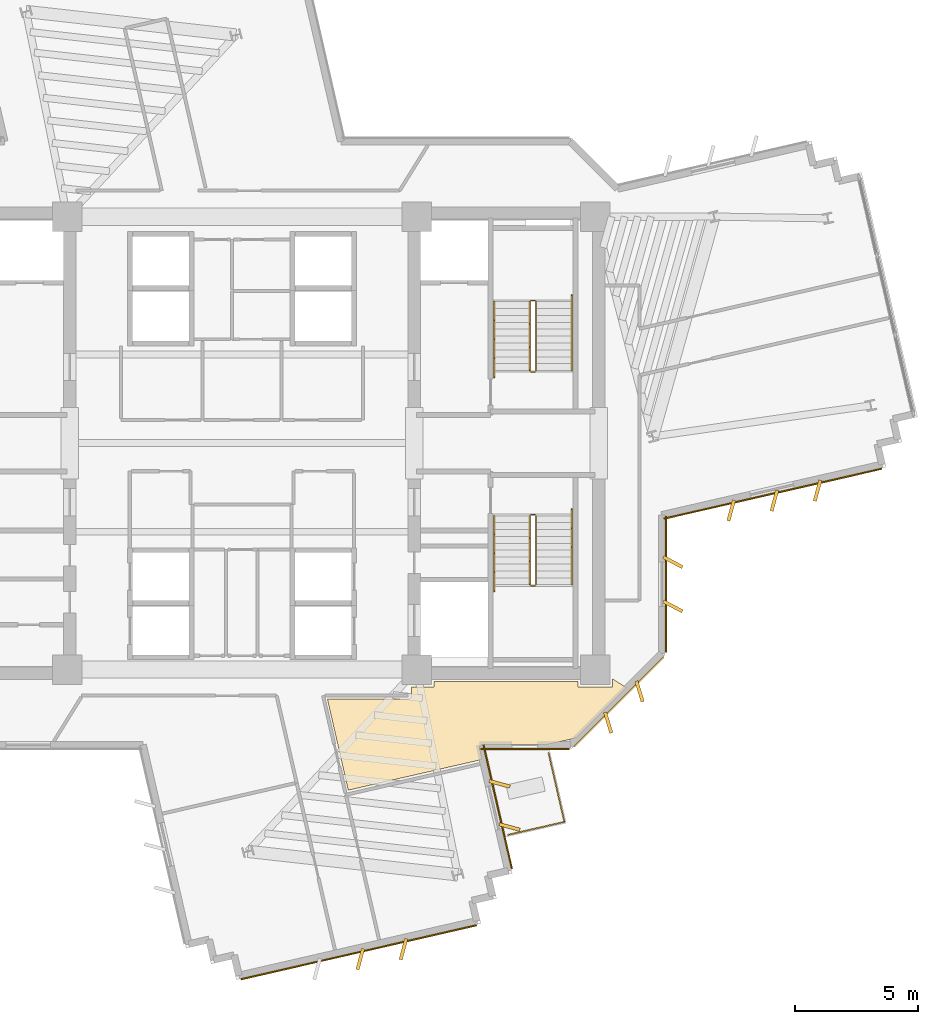
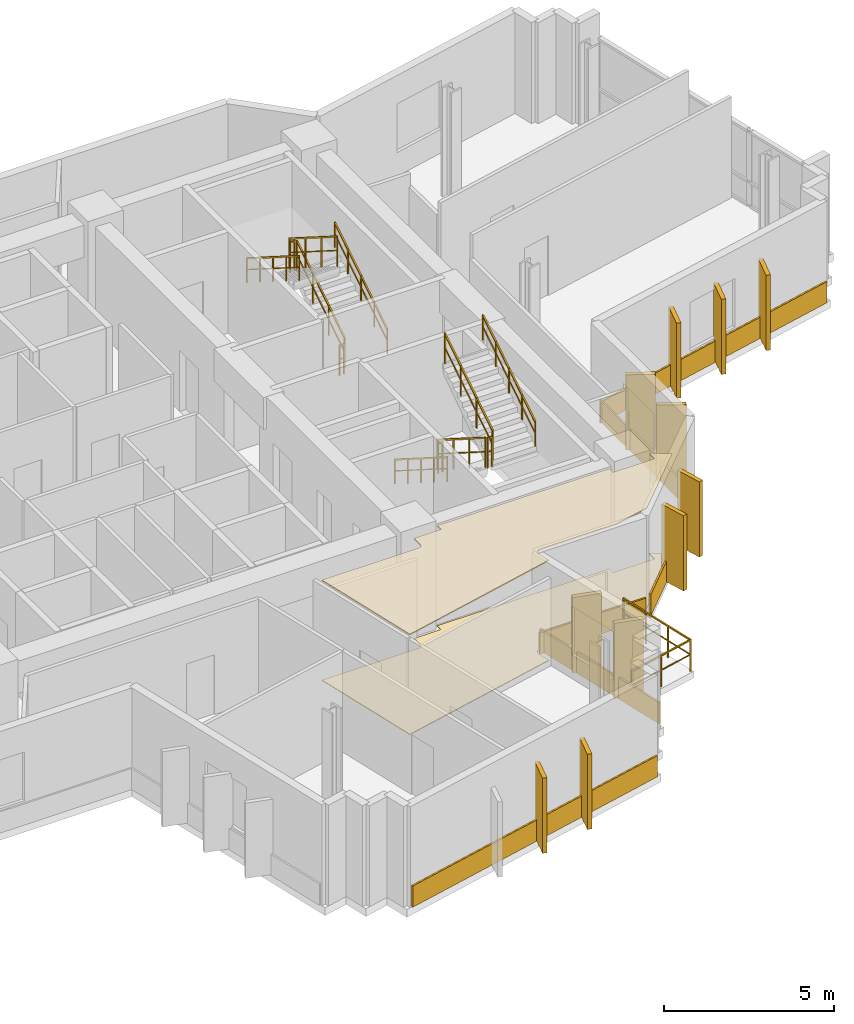
# One storey, part 12 of 13: 19 coverings, 14 railings.
"""IFC4 building model written with IfcOpenShell, lengths in metres."""

import ifcopenshell
import ifcopenshell.guid

model = None  # the IFC model being written
_history = None  # IfcOwnerHistory: only IFC2X3 demands one
_inside = {}  # id of a spatial element -> (the spatial element, [elements in it])
_under = {}  # id of a project, library or spatial element -> (it, [spatial elements below it])
_declared = {}  # id of a project -> (the project, [libraries it declares])
_typed = {}  # id of a type object -> (the type object, [elements of that type])
_made_of = {}  # id of a material, layer set ... -> (it, [elements and type objects made of it])


def new_model(schema):
    """Start an empty IFC model of exactly this schema.

    Asked for "IFC4X3", IfcOpenShell would pick the latest addendum, in which some entities
    have other attributes; the version numbers below select the first issue.
    IFC2X3 requires an IfcOwnerHistory on every rooted entity: one is made here for all.
    """
    global model, _history
    if schema == "IFC4X3":
        model = ifcopenshell.file(schema_version=(4, 3, 0, 0))
    else:
        model = ifcopenshell.file(schema=schema)
    _inside.clear()
    _under.clear()
    _declared.clear()
    _typed.clear()
    _made_of.clear()
    _history = None
    if model.schema == "IFC2X3":
        org = make("IfcOrganization", Name="unknown")
        user = make(
            "IfcPersonAndOrganization",
            ThePerson=make("IfcPerson", FamilyName="unknown"),
            TheOrganization=org,
        )
        app = make(
            "IfcApplication",
            ApplicationDeveloper=org,
            Version="unknown",
            ApplicationFullName="unknown",
            ApplicationIdentifier="unknown",
        )
        _history = make(
            "IfcOwnerHistory",
            OwningUser=user,
            OwningApplication=app,
            ChangeAction="ADDED",
            CreationDate=0,
        )
    return model


def make(cls, **values):
    """One entity of the class cls with the attributes given. An attribute that is None is left unset."""
    return model.create_entity(
        cls, **{name: value for name, value in values.items() if value is not None}
    )


def rooted(cls, **values):
    """An entity with a GlobalId (a new one), such as an element, a storey or a relation."""
    return make(cls, GlobalId=ifcopenshell.guid.new(), OwnerHistory=_history, **values)


def si_unit(unit_type, name, prefix=None):
    """IfcSIUnit, for example si_unit("LENGTHUNIT", "METRE", prefix="MILLI")."""
    return make("IfcSIUnit", UnitType=unit_type, Prefix=prefix, Name=name)


def assignment(units):
    """IfcUnitAssignment: the units of a project."""
    return None if units is None else make("IfcUnitAssignment", Units=units)


def point(xyz):
    """IfcCartesianPoint."""
    return None if xyz is None else make("IfcCartesianPoint", Coordinates=xyz)


def direction(xyz):
    """IfcDirection."""
    return None if xyz is None else make("IfcDirection", DirectionRatios=xyz)


def frame(location, z_axis=None, x_axis=None):
    """IfcAxis2Placement3D, a coordinate frame: its origin and axes. An axis left out is left unset."""
    return make(
        "IfcAxis2Placement3D",
        Location=point(location),
        Axis=direction(z_axis),
        RefDirection=direction(x_axis),
    )


def frame_2d(location, x_axis=None):
    """IfcAxis2Placement2D, a coordinate frame in the plane: its origin and x axis."""
    return make(
        "IfcAxis2Placement2D", Location=point(location), RefDirection=direction(x_axis)
    )


def origin():
    """The frame at (0, 0, 0) with its axes left unset."""
    return frame((0.0, 0.0, 0.0))


def origin_2d():
    """The frame at (0, 0) in the plane with its x axis left unset."""
    return frame_2d((0.0, 0.0))


def place(relative_to, where):
    """IfcLocalPlacement: puts the frame where relative to a parent placement (None: the world)."""
    return make(
        "IfcLocalPlacement", PlacementRelTo=relative_to, RelativePlacement=where
    )


def context(
    kind, dimensions, precision=None, world=None, true_north=None, identifier=None
):
    """IfcGeometricRepresentationContext, for example the 3D "Model" context."""
    return make(
        "IfcGeometricRepresentationContext",
        ContextIdentifier=identifier,
        ContextType=kind,
        CoordinateSpaceDimension=dimensions,
        Precision=precision,
        WorldCoordinateSystem=world,
        TrueNorth=true_north,
    )


def subcontext(parent, identifier, kind, view, scale=None):
    """IfcGeometricRepresentationSubContext, for example "Body" below "Model"."""
    return make(
        "IfcGeometricRepresentationSubContext",
        ContextIdentifier=identifier,
        ContextType=kind,
        ParentContext=parent,
        TargetScale=scale,
        TargetView=view,
    )


def project(units=None, contexts=None):
    """IfcProject with its units and contexts."""
    return rooted(
        "IfcProject",
        Name="project",
        RepresentationContexts=contexts,
        UnitsInContext=assignment(units),
    )


def spatial(cls, under=None, at=None, **own):
    """A site, building, storey or space (cls), placed at a placement, below another one or the project."""
    s = rooted(cls, ObjectPlacement=at, **own)
    if under is not None:
        _under.setdefault(under.id(), (under, []))[1].append(s)
    return s


def polyline(points):
    """IfcPolyline through the points."""
    return make("IfcPolyline", Points=[point(p) for p in points])


def profile(cls, at=None, kind="AREA", **sizes):
    """A parametric profile (cls). Its sizes go by their IFC names, for example OverallWidth=200.0."""
    return make(cls, ProfileType=kind, Position=at, **sizes)


def rectangle(**sizes):
    """IfcRectangleProfileDef."""
    return profile("IfcRectangleProfileDef", **sizes)


def outline(outer, holes=None, kind="AREA"):
    """IfcArbitraryClosedProfileDef: a profile drawn as a closed curve; with holes, ...WithVoids."""
    if holes is None:
        return make("IfcArbitraryClosedProfileDef", ProfileType=kind, OuterCurve=outer)
    return make(
        "IfcArbitraryProfileDefWithVoids",
        ProfileType=kind,
        OuterCurve=outer,
        InnerCurves=holes,
    )


def extrude(swept, where, along, depth):
    """IfcExtrudedAreaSolid: the profile swept, set in the frame where, extruded along a direction by depth."""
    return make(
        "IfcExtrudedAreaSolid",
        SweptArea=swept,
        Position=where,
        ExtrudedDirection=direction(along),
        Depth=depth,
    )


def shape(context_of_items, identifier, shape_type, items):
    """IfcShapeRepresentation: the items that make up one representation, for example the "Body"."""
    return make(
        "IfcShapeRepresentation",
        ContextOfItems=context_of_items,
        RepresentationIdentifier=identifier,
        RepresentationType=shape_type,
        Items=items,
    )


def source(mapping_origin, context_of_items, identifier, shape_type, items):
    """IfcRepresentationMap: a shape defined once, which mapped items show again and again."""
    return make(
        "IfcRepresentationMap",
        MappingOrigin=mapping_origin,
        MappedRepresentation=shape(context_of_items, identifier, shape_type, items),
    )


def transform(
    local_origin,
    x_axis=None,
    y_axis=None,
    z_axis=None,
    scale=None,
    scale2=None,
    scale3=None,
    uniform=True,
):
    """IfcCartesianTransformationOperator3D, or its non-uniform kind. x_axis, y_axis, z_axis: its Axis1, 2, 3."""
    if uniform:
        return make(
            "IfcCartesianTransformationOperator3D",
            Axis1=direction(x_axis),
            Axis2=direction(y_axis),
            LocalOrigin=point(local_origin),
            Scale=scale,
            Axis3=direction(z_axis),
        )
    return make(
        "IfcCartesianTransformationOperator3DnonUniform",
        Axis1=direction(x_axis),
        Axis2=direction(y_axis),
        LocalOrigin=point(local_origin),
        Scale=scale,
        Axis3=direction(z_axis),
        Scale2=scale2,
        Scale3=scale3,
    )


def mapped(mapping_source, mapping_target):
    """IfcMappedItem: shows the shape of a source again, moved by a transform."""
    return make(
        "IfcMappedItem", MappingSource=mapping_source, MappingTarget=mapping_target
    )


def material(Name=None, Category=None):
    """IfcMaterial."""
    return make("IfcMaterial", Name=Name, Category=Category)


def layer(
    of_material, thickness, ventilated=None, Name=None, Category=None, Priority=None
):
    """IfcMaterialLayer: one layer of a wall or slab, of a material (None: an air gap)."""
    return make(
        "IfcMaterialLayer",
        Material=of_material,
        LayerThickness=thickness,
        IsVentilated=ventilated,
        Name=Name,
        Category=Category,
        Priority=Priority,
    )


def layer_set(layers, Name=None):
    """IfcMaterialLayerSet."""
    return make("IfcMaterialLayerSet", MaterialLayers=layers, LayerSetName=Name)


def made_of(thing, what):
    """Note that an element or type object is made of a material, layer set ...; save() writes the relation."""
    if what is not None:
        _made_of.setdefault(what.id(), (what, []))[1].append(thing)
    return thing


def type_object(cls, material=None, **own):
    """A type object (cls), such as IfcWallType, which elements share."""
    return made_of(rooted(cls, **own), material)


def element(
    cls,
    number,
    at=None,
    inside=None,
    cuts=None,
    type_object=None,
    material=None,
    context=None,
    identifier="Body",
    shape_type=None,
    held_by="IfcProductDefinitionShape",
    body=None,
    shapes=None,
    **own,
):
    """One element of the class cls, such as IfcWall. Its Tag is "e" and its number.

    at: its placement. inside: the storey or other place that contains it. cuts: it is an
    opening in that element (IfcRelVoidsElement). A single representation is given by context,
    identifier, shape_type and body (its items); several are given by shapes. held_by: the class
    of the entity that holds the representations. save() writes the other relations.
    """
    e = rooted(cls, Tag="e%d" % number, ObjectPlacement=at, **own)
    if body is not None:
        shapes = [shape(context, identifier, shape_type, body)]
    if shapes is not None:
        e.Representation = make(held_by, Representations=shapes)
    if inside is not None:
        _inside.setdefault(inside.id(), (inside, []))[1].append(e)
    if cuts is not None:
        rooted(
            "IfcRelVoidsElement", RelatingBuildingElement=cuts, RelatedOpeningElement=e
        )
    if type_object is not None:
        _typed.setdefault(type_object.id(), (type_object, []))[1].append(e)
    return made_of(e, material)


def aggregate(whole, parts):
    """IfcRelAggregates: a whole, such as a stair, and the parts it consists of."""
    return rooted("IfcRelAggregates", RelatingObject=whole, RelatedObjects=parts)


def save(model, path):
    """Write the relations noted so far, then the file.

    IfcRelAggregates (storeys below a building ...), IfcRelContainedInSpatialStructure (elements
    in a storey), IfcRelDefinesByType, IfcRelAssociatesMaterial and IfcRelDeclares: one each for
    every whole, place, type object, material and project.
    """
    for whole, parts in _under.values():
        aggregate(whole, parts)
    for where, things in _inside.values():
        rooted(
            "IfcRelContainedInSpatialStructure",
            RelatedElements=things,
            RelatingStructure=where,
        )
    for kind, things in _typed.values():
        rooted("IfcRelDefinesByType", RelatedObjects=things, RelatingType=kind)
    for what, things in _made_of.values():
        rooted("IfcRelAssociatesMaterial", RelatedObjects=things, RelatingMaterial=what)
    for by, libraries in _declared.values():
        rooted("IfcRelDeclares", RelatingContext=by, RelatedDefinitions=libraries)
    model.write(path)


model = new_model("IFC4")

# Units and contexts
model_context = context("Model", 3, precision=1e-05, world=origin(), true_north=direction((0.0, 1.0)))
body_context = subcontext(model_context, "Body", "Model", "MODEL_VIEW")
ifc_project = project(units=[si_unit("LENGTHUNIT", "METRE"), si_unit("AREAUNIT", "SQUARE_METRE"), si_unit("VOLUMEUNIT", "CUBIC_METRE"), si_unit("PLANEANGLEUNIT", "RADIAN"), si_unit("MASSUNIT", "GRAM", prefix="KILO")], contexts=[model_context])

# Site, building, storey
site_placement = place(None, origin())
site = spatial("IfcSite", under=ifc_project, at=site_placement, CompositionType="ELEMENT")
building_placement = place(site_placement, origin())
building = spatial("IfcBuilding", under=site, at=building_placement, Name="Zahravan Cultural Tower", CompositionType="ELEMENT")
storey_placement = place(building_placement, frame((0.0, 0.0, 170.699951171875)))
storey = spatial("IfcBuildingStorey", under=building, at=storey_placement, Name="L39", CompositionType="ELEMENT", Elevation=170.699951171875)

# Coverings
ifc_material_1 = material(Name="Acoustic mineral fibreboard")
ifc_layer_1 = layer(ifc_material_1, 0.0400390625)
ifc_layer_set_1 = layer_set([ifc_layer_1], Name="Acoustic mineral fibreboard")
covering_type_1 = type_object("IfcCoveringType", Name="COV-CEIL-AC20", PredefinedType="CEILING", material=ifc_layer_set_1)
covering_1_placement = place(storey_placement, frame((0.0, 0.0, 3.580078125)))
element("IfcCovering", 1, at=covering_1_placement, inside=storey, type_object=covering_type_1, Name="L39 Acoustic Suspended Ceiling", PredefinedType="CEILING", context=body_context, shape_type="SweptSolid", body=[
    extrude(outline(polyline([(45.760986328125, 14.147216796875), (45.6611328125, 14.583984375), (45.66552734375, 14.643798828125), (45.69384765625, 14.69873046875), (45.73193359375, 14.734375), (45.7890625, 14.75830078125), (48.432861328125, 14.760009765625), (49.601806640625, 15.028076171875), (51.634033203125, 17.060302734375), (51.050048828125, 17.43017578125), (51.050048828125, 17.10009765625), (49.64990234375, 17.10009765625), (49.64990234375, 17.320068359375), (43.800048828125, 17.320068359375), (43.800048828125, 17.10009765625), (42.889892578125, 17.10009765625), (42.8896484375, 16.716064453125), (42.853515625, 16.639404296875), (42.78173828125, 16.601318359375), (39.47314453125, 16.60009765625), (40.322265625, 12.8994140625), (45.760986328125, 14.147216796875)])), origin(), (0.0, 0.0, 1.0), 0.0400390625),
])
ifc_material_2 = material(Name="Terrazzo flooring")
ifc_layer_2 = layer(ifc_material_2, 0.02490234375)
ifc_layer_set_2 = layer_set([ifc_layer_2], Name="Terrazzo flooring")
covering_type_2 = type_object("IfcCoveringType", Name="COV-FLR-TZ25", PredefinedType="FLOORING", material=ifc_layer_set_2)
covering_2_placement = place(storey_placement, origin())
element("IfcCovering", 2, at=covering_2_placement, inside=storey, type_object=covering_type_2, Name="L39 Polished Terrazzo Flooring", PredefinedType="FLOORING", context=body_context, shape_type="SweptSolid", body=[
    extrude(outline(polyline([(45.760986328125, 14.147216796875), (45.6611328125, 14.583984375), (45.66552734375, 14.643798828125), (45.69384765625, 14.69873046875), (45.73193359375, 14.734375), (45.7890625, 14.75830078125), (48.432861328125, 14.760009765625), (49.601806640625, 15.028076171875), (51.634033203125, 17.060302734375), (51.050048828125, 17.43017578125), (51.050048828125, 17.10009765625), (49.64990234375, 17.10009765625), (49.64990234375, 17.320068359375), (43.800048828125, 17.320068359375), (43.800048828125, 17.10009765625), (42.889892578125, 17.10009765625), (42.8896484375, 16.716064453125), (42.853515625, 16.639404296875), (42.78173828125, 16.601318359375), (39.47314453125, 16.60009765625), (40.322265625, 12.8994140625), (45.760986328125, 14.147216796875)])), origin(), (0.0, 0.0, 1.0), 0.025146484375),
])

# Railings
ifc_material_3 = material(Name="Steel ASTM A572 Grade 50", Category="steel")
railing_type_1 = type_object("IfcRailingType", Name="RL-BAL-1150", PredefinedType="BALUSTRADE", material=ifc_material_3)
railing_1_placement = place(storey_placement, frame((49.102783203125, 11.610107421875, 0.0)))
element("IfcRailing", 3, at=railing_1_placement, inside=storey, type_object=railing_type_1, Name="L39 Edge Balustrade GRD-TR-L39-SE-01", PredefinedType="BALUSTRADE", context=body_context, shape_type="SweptSolid", body=[
    extrude(rectangle(XDim=0.05, YDim=0.05, at=origin_2d()), frame((0.0, 0.0, 1.125), z_axis=(-0.974688001885, -0.223569450017, 0.0), x_axis=(0.223569450017, -0.974688001885, 0.0)), (0.0, 0.0, 1.0), 2.35009765625),
    extrude(rectangle(XDim=0.032, YDim=0.032, at=origin_2d()), frame((0.0, 0.0, 0.597900390625), z_axis=(-0.974688001885, -0.223569450017, 0.0), x_axis=(0.223569450017, -0.974688001885, 0.0)), (0.0, 0.0, 1.0), 2.35009765625),
    extrude(rectangle(XDim=0.04, YDim=0.04, at=origin_2d()), origin(), (0.0, 0.0, 1.0), 1.14990234375),
    extrude(rectangle(XDim=0.04, YDim=0.04, at=origin_2d()), frame((-1.145263671875, -0.2626953125, 0.0)), (0.0, 0.0, 1.0), 1.14990234375),
    extrude(rectangle(XDim=0.04, YDim=0.04, at=origin_2d()), frame((-2.29052734375, -0.525390625, 0.0)), (0.0, 0.0, 1.0), 1.14990234375),
])
railing_2_placement = place(storey_placement, frame((48.4580078125, 14.419921875, 0.0)))
element("IfcRailing", 4, at=railing_2_placement, inside=storey, type_object=railing_type_1, Name="L39 Edge Balustrade GRD-TR-L39-SE-02", PredefinedType="BALUSTRADE", context=body_context, shape_type="SweptSolid", body=[
    extrude(rectangle(XDim=0.05, YDim=0.05, at=origin_2d()), frame((0.0, 0.0, 1.125), z_axis=(0.223659439364, -0.97466735617, 0.0), x_axis=(0.97466735617, 0.223659439364, 0.0)), (0.0, 0.0, 1.0), 2.8828125),
    extrude(rectangle(XDim=0.032, YDim=0.032, at=origin_2d()), frame((0.0, 0.0, 0.597900390625), z_axis=(0.223659439364, -0.97466735617, 0.0), x_axis=(0.97466735617, 0.223659439364, 0.0)), (0.0, 0.0, 1.0), 2.8828125),
    extrude(rectangle(XDim=0.04, YDim=0.04, at=origin_2d()), origin(), (0.0, 0.0, 1.0), 1.14990234375),
    extrude(rectangle(XDim=0.04, YDim=0.04, at=origin_2d()), frame((0.21484375, -0.9365234375, 0.0)), (0.0, 0.0, 1.0), 1.14990234375),
    extrude(rectangle(XDim=0.04, YDim=0.04, at=origin_2d()), frame((0.429931640625, -1.873291015625, 0.0)), (0.0, 0.0, 1.0), 1.14990234375),
    extrude(rectangle(XDim=0.04, YDim=0.04, at=origin_2d()), frame((0.644775390625, -2.809814453125, 0.0)), (0.0, 0.0, 1.0), 1.14990234375),
])
railing_type_2 = type_object("IfcRailingType", Name="RL-STAIR-GRD1150", PredefinedType="BALUSTRADE", material=ifc_material_3)
railing_3_placement = place(storey_placement, frame((47.949951171875, 29.949951171875, 0.17724609375)))
element("IfcRailing", 5, at=railing_3_placement, inside=storey, type_object=railing_type_2, Name="L39 ST-E1 stair guard 1", PredefinedType="BALUSTRADE", context=body_context, shape_type="SweptSolid", body=[
    extrude(rectangle(XDim=0.05, YDim=0.05, at=origin_2d()), frame((0.0, 0.0, 1.0751953125), z_axis=(0.0, 0.844908973607, 0.534910110503), x_axis=(-1.0, 0.0, 0.0)), (0.0, 0.0, 1.0), 3.31396484375),
    extrude(rectangle(XDim=0.032, YDim=0.032, at=origin_2d()), frame((0.0, 0.0, 0.572021484375), z_axis=(0.0, 0.844908973607, 0.534910110503), x_axis=(-1.0, 0.0, 0.0)), (0.0, 0.0, 1.0), 3.31396484375),
    extrude(rectangle(XDim=0.04, YDim=0.04, at=origin_2d()), origin(), (0.0, 0.0, 1.0), 1.10009765625),
    extrude(rectangle(XDim=0.04, YDim=0.04, at=origin_2d()), frame((0.0, 0.933349609375, 0.5908203125)), (0.0, 0.0, 1.0), 1.10009765625),
    extrude(rectangle(XDim=0.04, YDim=0.04, at=origin_2d()), frame((0.0, 1.86669921875, 1.181884765625)), (0.0, 0.0, 1.0), 1.10009765625),
    extrude(rectangle(XDim=0.04, YDim=0.04, at=origin_2d()), frame((0.0, 2.800048828125, 1.772705078125)), (0.0, 0.0, 1.0), 1.10009765625),
])
railing_4_placement = place(storey_placement, frame((47.89990234375, 32.800048828125, 1.949951171875)))
element("IfcRailing", 6, at=railing_4_placement, inside=storey, type_object=railing_type_2, Name="L39 ST-E1 stair guard 2", PredefinedType="BALUSTRADE", context=body_context, shape_type="SweptSolid", body=[
    extrude(rectangle(XDim=0.05, YDim=0.05, at=origin_2d()), frame((0.0, 0.0, 1.0751953125), z_axis=(-1.0, 0.0, 0.0), x_axis=(0.0, -1.0, 0.0)), (0.0, 0.0, 1.0), 0.14990234375),
    extrude(rectangle(XDim=0.032, YDim=0.032, at=origin_2d()), frame((0.0, 0.0, 0.572021484375), z_axis=(-1.0, 0.0, 0.0), x_axis=(0.0, -1.0, 0.0)), (0.0, 0.0, 1.0), 0.14990234375),
    extrude(rectangle(XDim=0.04, YDim=0.04, at=origin_2d()), origin(), (0.0, 0.0, 1.0), 1.10009765625),
    extrude(rectangle(XDim=0.04, YDim=0.04, at=origin_2d()), frame((-0.14990234375, 0.0, 0.0)), (0.0, 0.0, 1.0), 1.10009765625),
])
railing_5_placement = place(storey_placement, frame((47.699951171875, 32.75, 2.12744140625)))
element("IfcRailing", 7, at=railing_5_placement, inside=storey, type_object=railing_type_2, Name="L39 ST-E1 stair guard 3", PredefinedType="BALUSTRADE", context=body_context, shape_type="SweptSolid", body=[
    extrude(rectangle(XDim=0.05, YDim=0.05, at=origin_2d()), frame((0.0, 0.0, 1.0751953125), z_axis=(0.0, -0.844908973607, 0.534910110503), x_axis=(1.0, 0.0, 0.0)), (0.0, 0.0, 1.0), 3.31396484375),
    extrude(rectangle(XDim=0.032, YDim=0.032, at=origin_2d()), frame((0.0, 0.0, 0.572021484375), z_axis=(0.0, -0.844908973607, 0.534910110503), x_axis=(1.0, 0.0, 0.0)), (0.0, 0.0, 1.0), 3.31396484375),
    extrude(rectangle(XDim=0.04, YDim=0.04, at=origin_2d()), origin(), (0.0, 0.0, 1.0), 1.10009765625),
    extrude(rectangle(XDim=0.04, YDim=0.04, at=origin_2d()), frame((0.0, -0.933349609375, 0.5908203125)), (0.0, 0.0, 1.0), 1.10009765625),
    extrude(rectangle(XDim=0.04, YDim=0.04, at=origin_2d()), frame((0.0, -1.86669921875, 1.181884765625)), (0.0, 0.0, 1.0), 1.10009765625),
    extrude(rectangle(XDim=0.04, YDim=0.04, at=origin_2d()), frame((0.0, -2.800048828125, 1.772705078125)), (0.0, 0.0, 1.0), 1.10009765625),
])
railing_6_placement = place(storey_placement, frame((47.89990234375, 29.89990234375, 0.0)))
element("IfcRailing", 8, at=railing_6_placement, inside=storey, type_object=railing_type_2, Name="L39 ST-E1 stair guard 4", PredefinedType="BALUSTRADE", context=body_context, shape_type="SweptSolid", body=[
    extrude(rectangle(XDim=0.05, YDim=0.05, at=origin_2d()), frame((0.0, 0.0, 1.0751953125), z_axis=(-1.0, 0.0, 0.0), x_axis=(0.0, -1.0, 0.0)), (0.0, 0.0, 1.0), 0.14990234375),
    extrude(rectangle(XDim=0.032, YDim=0.032, at=origin_2d()), frame((0.0, 0.0, 0.572021484375), z_axis=(-1.0, 0.0, 0.0), x_axis=(0.0, -1.0, 0.0)), (0.0, 0.0, 1.0), 0.14990234375),
    extrude(rectangle(XDim=0.04, YDim=0.04, at=origin_2d()), origin(), (0.0, 0.0, 1.0), 1.10009765625),
    extrude(rectangle(XDim=0.04, YDim=0.04, at=origin_2d()), frame((-0.14990234375, 0.0, 0.0)), (0.0, 0.0, 1.0), 1.10009765625),
])
railing_7_placement = place(storey_placement, frame((47.699951171875, 24.050048828125, 0.17724609375)))
element("IfcRailing", 9, at=railing_7_placement, inside=storey, type_object=railing_type_2, Name="L39 ST-E2 stair guard 1", PredefinedType="BALUSTRADE", context=body_context, shape_type="SweptSolid", body=[
    extrude(rectangle(XDim=0.05, YDim=0.05, at=origin_2d()), frame((0.0, 0.0, 1.0751953125), z_axis=(0.0, -0.844908973607, 0.534910110503), x_axis=(1.0, 0.0, 0.0)), (0.0, 0.0, 1.0), 3.31396484375),
    extrude(rectangle(XDim=0.032, YDim=0.032, at=origin_2d()), frame((0.0, 0.0, 0.572021484375), z_axis=(0.0, -0.844908973607, 0.534910110503), x_axis=(1.0, 0.0, 0.0)), (0.0, 0.0, 1.0), 3.31396484375),
    extrude(rectangle(XDim=0.04, YDim=0.04, at=origin_2d()), origin(), (0.0, 0.0, 1.0), 1.10009765625),
    extrude(rectangle(XDim=0.04, YDim=0.04, at=origin_2d()), frame((0.0, -0.933349609375, 0.5908203125)), (0.0, 0.0, 1.0), 1.10009765625),
    extrude(rectangle(XDim=0.04, YDim=0.04, at=origin_2d()), frame((0.0, -1.86669921875, 1.181884765625)), (0.0, 0.0, 1.0), 1.10009765625),
    extrude(rectangle(XDim=0.04, YDim=0.04, at=origin_2d()), frame((0.0, -2.800048828125, 1.772705078125)), (0.0, 0.0, 1.0), 1.10009765625),
])
railing_8_placement = place(storey_placement, frame((47.75, 21.199951171875, 1.949951171875)))
element("IfcRailing", 10, at=railing_8_placement, inside=storey, type_object=railing_type_2, Name="L39 ST-E2 stair guard 2", PredefinedType="BALUSTRADE", context=body_context, shape_type="SweptSolid", body=[
    extrude(rectangle(XDim=0.05, YDim=0.05, at=origin_2d()), frame((0.0, 0.0, 1.0751953125), z_axis=(1.0, 0.0, 0.0), x_axis=(0.0, 1.0, 0.0)), (0.0, 0.0, 1.0), 0.14990234375),
    extrude(rectangle(XDim=0.032, YDim=0.032, at=origin_2d()), frame((0.0, 0.0, 0.572021484375), z_axis=(1.0, 0.0, 0.0), x_axis=(0.0, 1.0, 0.0)), (0.0, 0.0, 1.0), 0.14990234375),
    extrude(rectangle(XDim=0.04, YDim=0.04, at=origin_2d()), origin(), (0.0, 0.0, 1.0), 1.10009765625),
    extrude(rectangle(XDim=0.04, YDim=0.04, at=origin_2d()), frame((0.14990234375, 0.0, 0.0)), (0.0, 0.0, 1.0), 1.10009765625),
])
railing_9_placement = place(storey_placement, frame((47.949951171875, 21.25, 2.12744140625)))
element("IfcRailing", 11, at=railing_9_placement, inside=storey, type_object=railing_type_2, Name="L39 ST-E2 stair guard 3", PredefinedType="BALUSTRADE", context=body_context, shape_type="SweptSolid", body=[
    extrude(rectangle(XDim=0.05, YDim=0.05, at=origin_2d()), frame((0.0, 0.0, 1.0751953125), z_axis=(0.0, 0.844908973607, 0.534910110503), x_axis=(-1.0, 0.0, 0.0)), (0.0, 0.0, 1.0), 3.31396484375),
    extrude(rectangle(XDim=0.032, YDim=0.032, at=origin_2d()), frame((0.0, 0.0, 0.572021484375), z_axis=(0.0, 0.844908973607, 0.534910110503), x_axis=(-1.0, 0.0, 0.0)), (0.0, 0.0, 1.0), 3.31396484375),
    extrude(rectangle(XDim=0.04, YDim=0.04, at=origin_2d()), origin(), (0.0, 0.0, 1.0), 1.10009765625),
    extrude(rectangle(XDim=0.04, YDim=0.04, at=origin_2d()), frame((0.0, 0.933349609375, 0.5908203125)), (0.0, 0.0, 1.0), 1.10009765625),
    extrude(rectangle(XDim=0.04, YDim=0.04, at=origin_2d()), frame((0.0, 1.86669921875, 1.181884765625)), (0.0, 0.0, 1.0), 1.10009765625),
    extrude(rectangle(XDim=0.04, YDim=0.04, at=origin_2d()), frame((0.0, 2.800048828125, 1.772705078125)), (0.0, 0.0, 1.0), 1.10009765625),
])
railing_10_placement = place(storey_placement, frame((47.75, 24.10009765625, 0.0)))
element("IfcRailing", 12, at=railing_10_placement, inside=storey, type_object=railing_type_2, Name="L39 ST-E2 stair guard 4", PredefinedType="BALUSTRADE", context=body_context, shape_type="SweptSolid", body=[
    extrude(rectangle(XDim=0.05, YDim=0.05, at=origin_2d()), frame((0.0, 0.0, 1.0751953125), z_axis=(1.0, 0.0, 0.0), x_axis=(0.0, 1.0, 0.0)), (0.0, 0.0, 1.0), 0.14990234375),
    extrude(rectangle(XDim=0.032, YDim=0.032, at=origin_2d()), frame((0.0, 0.0, 0.572021484375), z_axis=(1.0, 0.0, 0.0), x_axis=(0.0, 1.0, 0.0)), (0.0, 0.0, 1.0), 0.14990234375),
    extrude(rectangle(XDim=0.04, YDim=0.04, at=origin_2d()), origin(), (0.0, 0.0, 1.0), 1.10009765625),
    extrude(rectangle(XDim=0.04, YDim=0.04, at=origin_2d()), frame((0.14990234375, 0.0, 0.0)), (0.0, 0.0, 1.0), 1.10009765625),
])
railing_type_3 = type_object("IfcRailingType", Name="RL-STAIR-HR900", PredefinedType="HANDRAIL", material=ifc_material_3)
railing_11_placement = place(storey_placement, frame((49.39990234375, 29.949951171875, 0.17724609375)))
element("IfcRailing", 13, at=railing_11_placement, inside=storey, type_object=railing_type_3, Name="L39 ST-E1 stair handrail 1", PredefinedType="HANDRAIL", context=body_context, shape_type="SweptSolid", body=[
    extrude(rectangle(XDim=0.05, YDim=0.05, at=origin_2d()), frame((0.0, 0.0, 0.875), z_axis=(0.0, 0.844883648757, 0.534950109882), x_axis=(-1.0, 0.0, 0.0)), (0.0, 0.0, 1.0), 3.6455078125),
    extrude(rectangle(XDim=0.032, YDim=0.032, at=origin_2d()), frame((0.0, 0.0, 0.468017578125), z_axis=(0.0, 0.844883648757, 0.534950109882), x_axis=(-1.0, 0.0, 0.0)), (0.0, 0.0, 1.0), 3.6455078125),
    extrude(rectangle(XDim=0.04, YDim=0.04, at=origin_2d()), origin(), (0.0, 0.0, 1.0), 0.89990234375),
    extrude(rectangle(XDim=0.04, YDim=0.04, at=origin_2d()), frame((0.0, 0.77001953125, 0.487548828125)), (0.0, 0.0, 1.0), 0.89990234375),
    extrude(rectangle(XDim=0.04, YDim=0.04, at=origin_2d()), frame((0.0, 1.5400390625, 0.97509765625)), (0.0, 0.0, 1.0), 0.89990234375),
    extrude(rectangle(XDim=0.04, YDim=0.04, at=origin_2d()), frame((0.0, 2.31005859375, 1.462646484375)), (0.0, 0.0, 1.0), 0.89990234375),
    extrude(rectangle(XDim=0.04, YDim=0.04, at=origin_2d()), frame((0.0, 3.080078125, 1.9501953125)), (0.0, 0.0, 1.0), 0.89990234375),
])
railing_12_placement = place(storey_placement, frame((46.25, 32.75, 2.12744140625)))
element("IfcRailing", 14, at=railing_12_placement, inside=storey, type_object=railing_type_3, Name="L39 ST-E1 stair handrail 2", PredefinedType="HANDRAIL", context=body_context, shape_type="SweptSolid", body=[
    extrude(rectangle(XDim=0.05, YDim=0.05, at=origin_2d()), frame((0.0, 0.0, 0.875), z_axis=(0.0, -0.844913916606, 0.534902302785), x_axis=(1.0, 0.0, 0.0)), (0.0, 0.0, 1.0), 3.6455078125),
    extrude(rectangle(XDim=0.032, YDim=0.032, at=origin_2d()), frame((0.0, 0.0, 0.468017578125), z_axis=(0.0, -0.844913916606, 0.534902302785), x_axis=(1.0, 0.0, 0.0)), (0.0, 0.0, 1.0), 3.6455078125),
    extrude(rectangle(XDim=0.04, YDim=0.04, at=origin_2d()), origin(), (0.0, 0.0, 1.0), 0.89990234375),
    extrude(rectangle(XDim=0.04, YDim=0.04, at=origin_2d()), frame((0.0, -0.77001953125, 0.487548828125)), (0.0, 0.0, 1.0), 0.89990234375),
    extrude(rectangle(XDim=0.04, YDim=0.04, at=origin_2d()), frame((0.0, -1.5400390625, 0.97509765625)), (0.0, 0.0, 1.0), 0.89990234375),
    extrude(rectangle(XDim=0.04, YDim=0.04, at=origin_2d()), frame((0.0, -2.31005859375, 1.46240234375)), (0.0, 0.0, 1.0), 0.89990234375),
    extrude(rectangle(XDim=0.04, YDim=0.04, at=origin_2d()), frame((0.0, -3.080078125, 1.949951171875)), (0.0, 0.0, 1.0), 0.89990234375),
])
railing_13_placement = place(storey_placement, frame((46.25, 24.050048828125, 0.17724609375)))
element("IfcRailing", 15, at=railing_13_placement, inside=storey, type_object=railing_type_3, Name="L39 ST-E2 stair handrail 1", PredefinedType="HANDRAIL", context=body_context, shape_type="SweptSolid", body=[
    extrude(rectangle(XDim=0.05, YDim=0.05, at=origin_2d()), frame((0.0, 0.0, 0.875), z_axis=(0.0, -0.844883648757, 0.534950109882), x_axis=(1.0, 0.0, 0.0)), (0.0, 0.0, 1.0), 3.6455078125),
    extrude(rectangle(XDim=0.032, YDim=0.032, at=origin_2d()), frame((0.0, 0.0, 0.468017578125), z_axis=(0.0, -0.844883648757, 0.534950109882), x_axis=(1.0, 0.0, 0.0)), (0.0, 0.0, 1.0), 3.6455078125),
    extrude(rectangle(XDim=0.04, YDim=0.04, at=origin_2d()), origin(), (0.0, 0.0, 1.0), 0.89990234375),
    extrude(rectangle(XDim=0.04, YDim=0.04, at=origin_2d()), frame((0.0, -0.77001953125, 0.487548828125)), (0.0, 0.0, 1.0), 0.89990234375),
    extrude(rectangle(XDim=0.04, YDim=0.04, at=origin_2d()), frame((0.0, -1.5400390625, 0.97509765625)), (0.0, 0.0, 1.0), 0.89990234375),
    extrude(rectangle(XDim=0.04, YDim=0.04, at=origin_2d()), frame((0.0, -2.31005859375, 1.462646484375)), (0.0, 0.0, 1.0), 0.89990234375),
    extrude(rectangle(XDim=0.04, YDim=0.04, at=origin_2d()), frame((0.0, -3.080078125, 1.9501953125)), (0.0, 0.0, 1.0), 0.89990234375),
])
railing_14_placement = place(storey_placement, frame((49.39990234375, 21.25, 2.12744140625)))
element("IfcRailing", 16, at=railing_14_placement, inside=storey, type_object=railing_type_3, Name="L39 ST-E2 stair handrail 2", PredefinedType="HANDRAIL", context=body_context, shape_type="SweptSolid", body=[
    extrude(rectangle(XDim=0.05, YDim=0.05, at=origin_2d()), frame((0.0, 0.0, 0.875), z_axis=(0.0, 0.844913916606, 0.534902302785), x_axis=(-1.0, 0.0, 0.0)), (0.0, 0.0, 1.0), 3.6455078125),
    extrude(rectangle(XDim=0.032, YDim=0.032, at=origin_2d()), frame((0.0, 0.0, 0.468017578125), z_axis=(0.0, 0.844913916606, 0.534902302785), x_axis=(-1.0, 0.0, 0.0)), (0.0, 0.0, 1.0), 3.6455078125),
    extrude(rectangle(XDim=0.04, YDim=0.04, at=origin_2d()), origin(), (0.0, 0.0, 1.0), 0.89990234375),
    extrude(rectangle(XDim=0.04, YDim=0.04, at=origin_2d()), frame((0.0, 0.77001953125, 0.487548828125)), (0.0, 0.0, 1.0), 0.89990234375),
    extrude(rectangle(XDim=0.04, YDim=0.04, at=origin_2d()), frame((0.0, 1.5400390625, 0.97509765625)), (0.0, 0.0, 1.0), 0.89990234375),
    extrude(rectangle(XDim=0.04, YDim=0.04, at=origin_2d()), frame((0.0, 2.31005859375, 1.46240234375)), (0.0, 0.0, 1.0), 0.89990234375),
    extrude(rectangle(XDim=0.04, YDim=0.04, at=origin_2d()), frame((0.0, 3.080078125, 1.949951171875)), (0.0, 0.0, 1.0), 0.89990234375),
])

# Coverings
ifc_material_4 = material(Name="Terracotta ceramic cladding", Category="masonry")
ifc_layer_3 = layer(ifc_material_4, 0.06005859375)
ifc_layer_set_3 = layer_set([ifc_layer_3], Name="Terracotta ceramic cladding")
covering_type_3 = type_object("IfcCoveringType", Name="COV-CLAD-TC60", PredefinedType="CLADDING", material=ifc_layer_set_3)
shared_shape_1 = source(origin(), body_context, "Body", "SweptSolid", [
    extrude(rectangle(XDim=5.157958984375, YDim=0.06005859375, at=origin_2d()), origin(), (0.0, 0.0, 1.0), 0.760009765625),
])
covering_3_placement = place(storey_placement, frame((51.317626953125, 16.482421875, 0.02001953125), z_axis=(0.0, 0.0, 1.0), x_axis=(-0.707106781187, -0.707106781187, 0.0)))
element("IfcCovering", 17, at=covering_3_placement, inside=storey, type_object=covering_type_3, Name="L39 Terracotta Spandrel Cladding 12", PredefinedType="CLADDING", context=body_context, shape_type="MappedRepresentation", body=[
    mapped(shared_shape_1, transform((0.0, 0.0, 0.0), x_axis=(1.0, 0.0, 0.0), y_axis=(0.0, 1.0, 0.0), z_axis=(0.0, 0.0, 1.0), scale=1.0)),
])
shared_shape_2 = source(origin(), body_context, "Body", "SweptSolid", [
    extrude(rectangle(XDim=0.8798828125, YDim=0.139892578125, at=origin_2d()), origin(), (0.0, 0.0, 1.0), 2.699951171875),
])
for number, where, z_axis, x_axis, name in (
    (18, (59.39111328125, 25.0712890625, 0.05029296875), (0.0, 0.0, 1.0), (-0.260150626952, -0.965568045917, 0.0), "L39 Herringbone Terracotta Fin 04"),
    (19, (57.63671875, 24.668701171875, 0.05029296875), (0.0, 0.0, 1.0), (-0.260150626952, -0.965568045917, 0.0), "L39 Herringbone Terracotta Fin 05"),
    (20, (55.882080078125, 24.266357421875, 0.05029296875), (0.0, 0.0, 1.0), (-0.260150626952, -0.965568045917, 0.0), "L39 Herringbone Terracotta Fin 06"),
    (21, (53.510009765625, 22.169189453125, 0.05029296875), (0.0, 0.0, 1.0), (0.882947592859, -0.469471562786, 0.0), "L39 Herringbone Terracotta Fin 07"),
    (22, (53.510009765625, 20.369384765625, 0.05029296875), (0.0, 0.0, 1.0), (0.882947592859, -0.469471562786, 0.0), "L39 Herringbone Terracotta Fin 08"),
    (23, (52.155517578125, 16.917236328125, 0.05029296875), (0.0, 0.0, 1.0), (0.292371704723, -0.956304755963, 0.0), "L39 Herringbone Terracotta Fin 09"),
    (24, (50.8828125, 15.644287109375, 0.05029296875), (0.0, 0.0, 1.0), (0.292371704723, -0.956304755963, 0.0), "L39 Herringbone Terracotta Fin 10"),
    (25, (46.47021484375, 13.157470703125, 0.05029296875), (0.0, 0.0, 1.0), (0.965563505285, -0.260167479254, 0.0), "L39 Herringbone Terracotta Fin 11"),
    (26, (46.87255859375, 11.403076171875, 0.05029296875), (0.0, 0.0, 1.0), (0.965563505285, -0.260167479254, 0.0), "L39 Herringbone Terracotta Fin 12"),
    (27, (42.563720703125, 6.43701171875, 0.05029296875), (0.0, 0.0, 1.0), (-0.260167479254, -0.965563505285, 0.0), "L39 Herringbone Terracotta Fin 13"),
    (28, (40.809326171875, 6.03466796875, 0.05029296875), (0.0, 0.0, 1.0), (-0.260167479254, -0.965563505285, 0.0), "L39 Herringbone Terracotta Fin 14"),
):
    element("IfcCovering", number, at=place(storey_placement, frame(where, z_axis=z_axis, x_axis=x_axis)), inside=storey, type_object=covering_type_3, Name=name, PredefinedType="CLADDING", context=body_context, shape_type="MappedRepresentation", body=[
        mapped(shared_shape_2, transform((0.0, 0.0, 0.0), x_axis=(1.0, 0.0, 0.0), y_axis=(0.0, 1.0, 0.0), z_axis=(0.0, 0.0, 1.0), scale=1.0)),
    ])
shared_shape_3 = source(origin(), body_context, "Body", "SweptSolid", [
    extrude(rectangle(XDim=9.084716796875, YDim=0.06005859375, at=origin_2d()), origin(), (0.0, 0.0, 1.0), 0.760009765625),
])
covering_4_placement = place(storey_placement, frame((57.572998046875, 24.946533203125, 0.02001953125), z_axis=(0.0, 0.0, 1.0), x_axis=(-0.974679303279, -0.223607369645, 0.0)))
element("IfcCovering", 29, at=covering_4_placement, inside=storey, type_object=covering_type_3, Name="L39 Terracotta Spandrel Cladding 10", PredefinedType="CLADDING", context=body_context, shape_type="MappedRepresentation", body=[
    mapped(shared_shape_3, transform((0.0, 0.0, 0.0), x_axis=(1.0, 0.0, 0.0), y_axis=(0.0, 1.0, 0.0), z_axis=(0.0, 0.0, 1.0), scale=1.0)),
])
shared_shape_4 = source(origin(), body_context, "Body", "SweptSolid", [
    extrude(rectangle(XDim=5.5224609375, YDim=0.06005859375, at=origin_2d()), origin(), (0.0, 0.0, 1.0), 0.760009765625),
])
covering_5_placement = place(storey_placement, frame((53.22509765625, 21.269287109375, 0.02001953125), z_axis=(0.0, 0.0, 1.0), x_axis=(0.0, -1.0, 0.0)))
element("IfcCovering", 30, at=covering_5_placement, inside=storey, type_object=covering_type_3, Name="L39 Terracotta Spandrel Cladding 11", PredefinedType="CLADDING", context=body_context, shape_type="MappedRepresentation", body=[
    mapped(shared_shape_4, transform((0.0, 0.0, 0.0), x_axis=(1.0, 0.0, 0.0), y_axis=(0.0, 1.0, 0.0), z_axis=(0.0, 0.0, 1.0), scale=1.0)),
])
shared_shape_5 = source(origin(), body_context, "Body", "SweptSolid", [
    extrude(rectangle(XDim=3.5966796875, YDim=0.06005859375, at=origin_2d()), origin(), (0.0, 0.0, 1.0), 0.760009765625),
])
covering_6_placement = place(storey_placement, frame((47.49365234375, 14.574951171875, 0.02001953125), z_axis=(0.0, 0.0, 1.0), x_axis=(-1.0, 0.0, 0.0)))
element("IfcCovering", 31, at=covering_6_placement, inside=storey, type_object=covering_type_3, Name="L39 Terracotta Spandrel Cladding 13", PredefinedType="CLADDING", context=body_context, shape_type="MappedRepresentation", body=[
    mapped(shared_shape_5, transform((0.0, 0.0, 0.0), x_axis=(1.0, 0.0, 0.0), y_axis=(0.0, 1.0, 0.0), z_axis=(0.0, 0.0, 1.0), scale=1.0)),
])
shared_shape_6 = source(origin(), body_context, "Body", "SweptSolid", [
    extrude(rectangle(XDim=5.15380859375, YDim=0.06005859375, at=origin_2d()), origin(), (0.0, 0.0, 1.0), 0.760009765625),
])
covering_7_placement = place(storey_placement, frame((46.3935546875, 12.216552734375, 0.02001953125), z_axis=(0.0, 0.0, 1.0), x_axis=(0.223590358248, -0.974683205815, 0.0)))
element("IfcCovering", 32, at=covering_7_placement, inside=storey, type_object=covering_type_3, Name="L39 Terracotta Spandrel Cladding 14", PredefinedType="CLADDING", context=body_context, shape_type="MappedRepresentation", body=[
    mapped(shared_shape_6, transform((0.0, 0.0, 0.0), x_axis=(1.0, 0.0, 0.0), y_axis=(0.0, 1.0, 0.0), z_axis=(0.0, 0.0, 1.0), scale=1.0)),
])
shared_shape_7 = source(origin(), body_context, "Body", "SweptSolid", [
    extrude(rectangle(XDim=9.81982421875, YDim=0.06005859375, at=origin_2d()), origin(), (0.0, 0.0, 1.0), 0.760009765625),
])
covering_8_placement = place(storey_placement, frame((40.74560546875, 6.3125, 0.02001953125), z_axis=(0.0, 0.0, 1.0), x_axis=(-0.974683205815, -0.223590358248, 0.0)))
element("IfcCovering", 33, at=covering_8_placement, inside=storey, type_object=covering_type_3, Name="L39 Terracotta Spandrel Cladding 19", PredefinedType="CLADDING", context=body_context, shape_type="MappedRepresentation", body=[
    mapped(shared_shape_7, transform((0.0, 0.0, 0.0), x_axis=(1.0, 0.0, 0.0), y_axis=(0.0, 1.0, 0.0), z_axis=(0.0, 0.0, 1.0), scale=1.0)),
])

save(model, "model.ifc")
